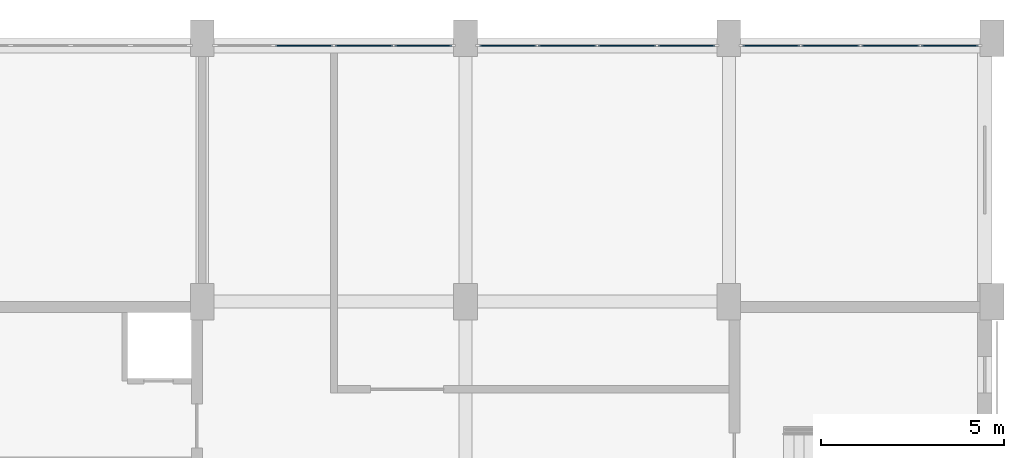
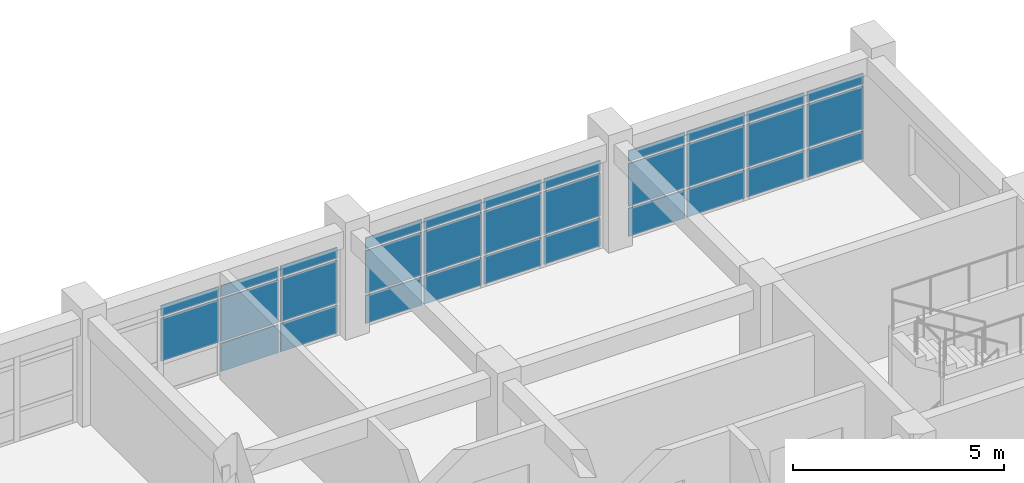
# One storey, part 13 of 19: 32 plates, 3 elements without a shape of their own.
"""IFC4 building model written with IfcOpenShell, lengths in metres."""

from ifc_helpers import new_model, si_unit, direction, frame, origin, origin_2d, place, context, subcontext, project, spatial, rectangle, extrude, material, layer, layer_set, type_object, element, aggregate, save


model = new_model("IFC4")

# Units and contexts
model_context = context("Model", 3, precision=1e-05, world=origin(), true_north=direction((0.0, 1.0)))
body_context = subcontext(model_context, "Body", "Model", "MODEL_VIEW")
ifc_project = project(units=[si_unit("LENGTHUNIT", "METRE"), si_unit("AREAUNIT", "SQUARE_METRE"), si_unit("VOLUMEUNIT", "CUBIC_METRE"), si_unit("PLANEANGLEUNIT", "RADIAN"), si_unit("MASSUNIT", "GRAM", prefix="KILO")], contexts=[model_context])

# Site, building, storey
site_placement = place(None, origin())
site = spatial("IfcSite", under=ifc_project, at=site_placement, CompositionType="ELEMENT")
building_placement = place(site_placement, origin())
building = spatial("IfcBuilding", under=site, at=building_placement, Name="Vermilion Court Aquatics Centre", CompositionType="ELEMENT")
storey_placement = place(building_placement, frame((0.0, 0.0, 19.89990234375)))
storey = spatial("IfcBuildingStorey", under=building, at=storey_placement, Name="L04", CompositionType="ELEMENT", Elevation=19.89990234375)

# Curtain wall, plates
ifc_material_1 = material(Name="Aluminium 6063-T5", Category="aluminium")
curtain_wall_type = type_object("IfcCurtainWallType", Name="North block glazed bay curtain wall 1800 module", PredefinedType="NOTDEFINED", material=ifc_material_1)
curtain_wall_1_placement = place(storey_placement, origin())
curtain_wall_1 = element("IfcCurtainWall", 1, at=curtain_wall_1_placement, inside=storey, type_object=curtain_wall_type, Name="North glazed bay 5 L04", PredefinedType="NOTDEFINED")
ifc_material_2 = material(Name="Glazing", Category="glass")
ifc_layer = layer(ifc_material_2, 0.028076171875)
ifc_layer_set = layer_set([ifc_layer], Name="North block curtain wall glazing panel 28")
plate_type = type_object("IfcPlateType", Name="North block curtain wall glazing panel 28", PredefinedType="CURTAIN_PANEL", material=ifc_layer_set)
plate_1_placement = place(storey_placement, frame((175.581298828125, 115.0, 0.93017578125), z_axis=(0.0, 0.0, 1.0), x_axis=(1.0, 0.0, 0.0)))
plate_1 = element("IfcPlate", 2, at=plate_1_placement, type_object=plate_type, Name="UCW1 panel 2.2", PredefinedType="CURTAIN_PANEL", context=body_context, shape_type="SweptSolid", body=[
    extrude(rectangle(XDim=1.577392578125, YDim=0.028076171875, at=origin_2d()), origin(), (0.0, 0.0, 1.0), 1.239990234375),
])
plate_2_placement = place(storey_placement, frame((175.581298828125, 115.0, 2.22998046875), z_axis=(0.0, 0.0, 1.0), x_axis=(1.0, 0.0, 0.0)))
plate_2 = element("IfcPlate", 3, at=plate_2_placement, type_object=plate_type, Name="UCW1 panel 2.3", PredefinedType="CURTAIN_PANEL", context=body_context, shape_type="SweptSolid", body=[
    extrude(rectangle(XDim=1.577392578125, YDim=0.028076171875, at=origin_2d()), origin(), (0.0, 0.0, 1.0), 0.31005859375),
])
plate_3_placement = place(storey_placement, frame((177.21875, 115.0, 0.06005859375), z_axis=(0.0, 0.0, 1.0), x_axis=(1.0, 0.0, 0.0)))
plate_3 = element("IfcPlate", 4, at=plate_3_placement, type_object=plate_type, Name="UCW1 panel 3.1", PredefinedType="CURTAIN_PANEL", context=body_context, shape_type="SweptSolid", body=[
    extrude(rectangle(XDim=1.577392578125, YDim=0.028076171875, at=origin_2d()), origin(), (0.0, 0.0, 1.0), 0.81005859375),
])
plate_4_placement = place(storey_placement, frame((177.21875, 115.0, 0.93017578125), z_axis=(0.0, 0.0, 1.0), x_axis=(1.0, 0.0, 0.0)))
plate_4 = element("IfcPlate", 5, at=plate_4_placement, type_object=plate_type, Name="UCW1 panel 3.2", PredefinedType="CURTAIN_PANEL", context=body_context, shape_type="SweptSolid", body=[
    extrude(rectangle(XDim=1.577392578125, YDim=0.028076171875, at=origin_2d()), origin(), (0.0, 0.0, 1.0), 1.239990234375),
])
plate_5_placement = place(storey_placement, frame((177.21875, 115.0, 2.22998046875), z_axis=(0.0, 0.0, 1.0), x_axis=(1.0, 0.0, 0.0)))
plate_5 = element("IfcPlate", 6, at=plate_5_placement, type_object=plate_type, Name="UCW1 panel 3.3", PredefinedType="CURTAIN_PANEL", context=body_context, shape_type="SweptSolid", body=[
    extrude(rectangle(XDim=1.577392578125, YDim=0.028076171875, at=origin_2d()), origin(), (0.0, 0.0, 1.0), 0.31005859375),
])
plate_6_placement = place(storey_placement, frame((178.84130859375, 115.0, 0.06005859375), z_axis=(0.0, 0.0, 1.0), x_axis=(1.0, 0.0, 0.0)))
plate_6 = element("IfcPlate", 7, at=plate_6_placement, type_object=plate_type, Name="UCW1 panel 4.1", PredefinedType="CURTAIN_PANEL", context=body_context, shape_type="SweptSolid", body=[
    extrude(rectangle(XDim=1.547607421875, YDim=0.028076171875, at=origin_2d()), origin(), (0.0, 0.0, 1.0), 0.81005859375),
])
plate_7_placement = place(storey_placement, frame((178.84130859375, 115.0, 0.93017578125), z_axis=(0.0, 0.0, 1.0), x_axis=(1.0, 0.0, 0.0)))
plate_7 = element("IfcPlate", 8, at=plate_7_placement, type_object=plate_type, Name="UCW1 panel 4.2", PredefinedType="CURTAIN_PANEL", context=body_context, shape_type="SweptSolid", body=[
    extrude(rectangle(XDim=1.547607421875, YDim=0.028076171875, at=origin_2d()), origin(), (0.0, 0.0, 1.0), 1.239990234375),
])
plate_8_placement = place(storey_placement, frame((178.84130859375, 115.0, 2.22998046875), z_axis=(0.0, 0.0, 1.0), x_axis=(1.0, 0.0, 0.0)))
plate_8 = element("IfcPlate", 9, at=plate_8_placement, type_object=plate_type, Name="UCW1 panel 4.3", PredefinedType="CURTAIN_PANEL", context=body_context, shape_type="SweptSolid", body=[
    extrude(rectangle(XDim=1.547607421875, YDim=0.028076171875, at=origin_2d()), origin(), (0.0, 0.0, 1.0), 0.31005859375),
])
aggregate(curtain_wall_1, [plate_1, plate_2, plate_3, plate_4, plate_5, plate_6, plate_7, plate_8])

curtain_wall_2_placement = place(storey_placement, origin())
curtain_wall_2 = element("IfcCurtainWall", 10, at=curtain_wall_2_placement, inside=storey, type_object=curtain_wall_type, Name="North glazed bay 6 L04", PredefinedType="NOTDEFINED")
plate_9_placement = place(storey_placement, frame((181.15869140625, 115.0, 0.06005859375), z_axis=(0.0, 0.0, 1.0), x_axis=(1.0, 0.0, 0.0)))
plate_9 = element("IfcPlate", 11, at=plate_9_placement, type_object=plate_type, Name="UCW1 panel 1.1", PredefinedType="CURTAIN_PANEL", context=body_context, shape_type="SweptSolid", body=[
    extrude(rectangle(XDim=1.547607421875, YDim=0.028076171875, at=origin_2d()), origin(), (0.0, 0.0, 1.0), 0.81005859375),
])
plate_10_placement = place(storey_placement, frame((181.15869140625, 115.0, 0.93017578125), z_axis=(0.0, 0.0, 1.0), x_axis=(1.0, 0.0, 0.0)))
plate_10 = element("IfcPlate", 12, at=plate_10_placement, type_object=plate_type, Name="UCW1 panel 1.2", PredefinedType="CURTAIN_PANEL", context=body_context, shape_type="SweptSolid", body=[
    extrude(rectangle(XDim=1.547607421875, YDim=0.028076171875, at=origin_2d()), origin(), (0.0, 0.0, 1.0), 1.239990234375),
])
plate_11_placement = place(storey_placement, frame((181.15869140625, 115.0, 2.22998046875), z_axis=(0.0, 0.0, 1.0), x_axis=(1.0, 0.0, 0.0)))
plate_11 = element("IfcPlate", 13, at=plate_11_placement, type_object=plate_type, Name="UCW1 panel 1.3", PredefinedType="CURTAIN_PANEL", context=body_context, shape_type="SweptSolid", body=[
    extrude(rectangle(XDim=1.547607421875, YDim=0.028076171875, at=origin_2d()), origin(), (0.0, 0.0, 1.0), 0.31005859375),
])
plate_12_placement = place(storey_placement, frame((182.78125, 115.0, 0.06005859375), z_axis=(0.0, 0.0, 1.0), x_axis=(1.0, 0.0, 0.0)))
plate_12 = element("IfcPlate", 14, at=plate_12_placement, type_object=plate_type, Name="UCW1 panel 2.1", PredefinedType="CURTAIN_PANEL", context=body_context, shape_type="SweptSolid", body=[
    extrude(rectangle(XDim=1.577392578125, YDim=0.028076171875, at=origin_2d()), origin(), (0.0, 0.0, 1.0), 0.81005859375),
])
plate_13_placement = place(storey_placement, frame((182.78125, 115.0, 0.93017578125), z_axis=(0.0, 0.0, 1.0), x_axis=(1.0, 0.0, 0.0)))
plate_13 = element("IfcPlate", 15, at=plate_13_placement, type_object=plate_type, Name="UCW1 panel 2.2", PredefinedType="CURTAIN_PANEL", context=body_context, shape_type="SweptSolid", body=[
    extrude(rectangle(XDim=1.577392578125, YDim=0.028076171875, at=origin_2d()), origin(), (0.0, 0.0, 1.0), 1.239990234375),
])
plate_14_placement = place(storey_placement, frame((182.78125, 115.0, 2.22998046875), z_axis=(0.0, 0.0, 1.0), x_axis=(1.0, 0.0, 0.0)))
plate_14 = element("IfcPlate", 16, at=plate_14_placement, type_object=plate_type, Name="UCW1 panel 2.3", PredefinedType="CURTAIN_PANEL", context=body_context, shape_type="SweptSolid", body=[
    extrude(rectangle(XDim=1.577392578125, YDim=0.028076171875, at=origin_2d()), origin(), (0.0, 0.0, 1.0), 0.31005859375),
])
plate_15_placement = place(storey_placement, frame((184.418701171875, 115.0, 0.06005859375), z_axis=(0.0, 0.0, 1.0), x_axis=(1.0, 0.0, 0.0)))
plate_15 = element("IfcPlate", 17, at=plate_15_placement, type_object=plate_type, Name="UCW1 panel 3.1", PredefinedType="CURTAIN_PANEL", context=body_context, shape_type="SweptSolid", body=[
    extrude(rectangle(XDim=1.577392578125, YDim=0.028076171875, at=origin_2d()), origin(), (0.0, 0.0, 1.0), 0.81005859375),
])
plate_16_placement = place(storey_placement, frame((184.418701171875, 115.0, 0.93017578125), z_axis=(0.0, 0.0, 1.0), x_axis=(1.0, 0.0, 0.0)))
plate_16 = element("IfcPlate", 18, at=plate_16_placement, type_object=plate_type, Name="UCW1 panel 3.2", PredefinedType="CURTAIN_PANEL", context=body_context, shape_type="SweptSolid", body=[
    extrude(rectangle(XDim=1.577392578125, YDim=0.028076171875, at=origin_2d()), origin(), (0.0, 0.0, 1.0), 1.239990234375),
])
plate_17_placement = place(storey_placement, frame((184.418701171875, 115.0, 2.22998046875), z_axis=(0.0, 0.0, 1.0), x_axis=(1.0, 0.0, 0.0)))
plate_17 = element("IfcPlate", 19, at=plate_17_placement, type_object=plate_type, Name="UCW1 panel 3.3", PredefinedType="CURTAIN_PANEL", context=body_context, shape_type="SweptSolid", body=[
    extrude(rectangle(XDim=1.577392578125, YDim=0.028076171875, at=origin_2d()), origin(), (0.0, 0.0, 1.0), 0.31005859375),
])
plate_18_placement = place(storey_placement, frame((186.041259765625, 115.0, 0.06005859375), z_axis=(0.0, 0.0, 1.0), x_axis=(1.0, 0.0, 0.0)))
plate_18 = element("IfcPlate", 20, at=plate_18_placement, type_object=plate_type, Name="UCW1 panel 4.1", PredefinedType="CURTAIN_PANEL", context=body_context, shape_type="SweptSolid", body=[
    extrude(rectangle(XDim=1.547607421875, YDim=0.028076171875, at=origin_2d()), origin(), (0.0, 0.0, 1.0), 0.81005859375),
])
plate_19_placement = place(storey_placement, frame((186.041259765625, 115.0, 0.93017578125), z_axis=(0.0, 0.0, 1.0), x_axis=(1.0, 0.0, 0.0)))
plate_19 = element("IfcPlate", 21, at=plate_19_placement, type_object=plate_type, Name="UCW1 panel 4.2", PredefinedType="CURTAIN_PANEL", context=body_context, shape_type="SweptSolid", body=[
    extrude(rectangle(XDim=1.547607421875, YDim=0.028076171875, at=origin_2d()), origin(), (0.0, 0.0, 1.0), 1.239990234375),
])
plate_20_placement = place(storey_placement, frame((186.041259765625, 115.0, 2.22998046875), z_axis=(0.0, 0.0, 1.0), x_axis=(1.0, 0.0, 0.0)))
plate_20 = element("IfcPlate", 22, at=plate_20_placement, type_object=plate_type, Name="UCW1 panel 4.3", PredefinedType="CURTAIN_PANEL", context=body_context, shape_type="SweptSolid", body=[
    extrude(rectangle(XDim=1.547607421875, YDim=0.028076171875, at=origin_2d()), origin(), (0.0, 0.0, 1.0), 0.31005859375),
])
aggregate(curtain_wall_2, [plate_9, plate_10, plate_11, plate_12, plate_13, plate_14, plate_15, plate_16, plate_17, plate_18, plate_19, plate_20])

curtain_wall_3_placement = place(storey_placement, origin())
curtain_wall_3 = element("IfcCurtainWall", 23, at=curtain_wall_3_placement, inside=storey, type_object=curtain_wall_type, Name="North glazed bay 7 L04", PredefinedType="NOTDEFINED")
plate_21_placement = place(storey_placement, frame((188.358642578125, 115.0, 0.06005859375), z_axis=(0.0, 0.0, 1.0), x_axis=(1.0, 0.0, 0.0)))
plate_21 = element("IfcPlate", 24, at=plate_21_placement, type_object=plate_type, Name="UCW1 panel 1.1", PredefinedType="CURTAIN_PANEL", context=body_context, shape_type="SweptSolid", body=[
    extrude(rectangle(XDim=1.547607421875, YDim=0.028076171875, at=origin_2d()), origin(), (0.0, 0.0, 1.0), 0.81005859375),
])
plate_22_placement = place(storey_placement, frame((188.358642578125, 115.0, 0.93017578125), z_axis=(0.0, 0.0, 1.0), x_axis=(1.0, 0.0, 0.0)))
plate_22 = element("IfcPlate", 25, at=plate_22_placement, type_object=plate_type, Name="UCW1 panel 1.2", PredefinedType="CURTAIN_PANEL", context=body_context, shape_type="SweptSolid", body=[
    extrude(rectangle(XDim=1.547607421875, YDim=0.028076171875, at=origin_2d()), origin(), (0.0, 0.0, 1.0), 1.239990234375),
])
plate_23_placement = place(storey_placement, frame((188.358642578125, 115.0, 2.22998046875), z_axis=(0.0, 0.0, 1.0), x_axis=(1.0, 0.0, 0.0)))
plate_23 = element("IfcPlate", 26, at=plate_23_placement, type_object=plate_type, Name="UCW1 panel 1.3", PredefinedType="CURTAIN_PANEL", context=body_context, shape_type="SweptSolid", body=[
    extrude(rectangle(XDim=1.547607421875, YDim=0.028076171875, at=origin_2d()), origin(), (0.0, 0.0, 1.0), 0.31005859375),
])
plate_24_placement = place(storey_placement, frame((189.981201171875, 115.0, 0.06005859375), z_axis=(0.0, 0.0, 1.0), x_axis=(1.0, 0.0, 0.0)))
plate_24 = element("IfcPlate", 27, at=plate_24_placement, type_object=plate_type, Name="UCW1 panel 2.1", PredefinedType="CURTAIN_PANEL", context=body_context, shape_type="SweptSolid", body=[
    extrude(rectangle(XDim=1.577392578125, YDim=0.028076171875, at=origin_2d()), origin(), (0.0, 0.0, 1.0), 0.81005859375),
])
plate_25_placement = place(storey_placement, frame((189.981201171875, 115.0, 0.93017578125), z_axis=(0.0, 0.0, 1.0), x_axis=(1.0, 0.0, 0.0)))
plate_25 = element("IfcPlate", 28, at=plate_25_placement, type_object=plate_type, Name="UCW1 panel 2.2", PredefinedType="CURTAIN_PANEL", context=body_context, shape_type="SweptSolid", body=[
    extrude(rectangle(XDim=1.577392578125, YDim=0.028076171875, at=origin_2d()), origin(), (0.0, 0.0, 1.0), 1.239990234375),
])
plate_26_placement = place(storey_placement, frame((189.981201171875, 115.0, 2.22998046875), z_axis=(0.0, 0.0, 1.0), x_axis=(1.0, 0.0, 0.0)))
plate_26 = element("IfcPlate", 29, at=plate_26_placement, type_object=plate_type, Name="UCW1 panel 2.3", PredefinedType="CURTAIN_PANEL", context=body_context, shape_type="SweptSolid", body=[
    extrude(rectangle(XDim=1.577392578125, YDim=0.028076171875, at=origin_2d()), origin(), (0.0, 0.0, 1.0), 0.31005859375),
])
plate_27_placement = place(storey_placement, frame((191.61865234375, 115.0, 0.06005859375), z_axis=(0.0, 0.0, 1.0), x_axis=(1.0, 0.0, 0.0)))
plate_27 = element("IfcPlate", 30, at=plate_27_placement, type_object=plate_type, Name="UCW1 panel 3.1", PredefinedType="CURTAIN_PANEL", context=body_context, shape_type="SweptSolid", body=[
    extrude(rectangle(XDim=1.577392578125, YDim=0.028076171875, at=origin_2d()), origin(), (0.0, 0.0, 1.0), 0.81005859375),
])
plate_28_placement = place(storey_placement, frame((191.61865234375, 115.0, 0.93017578125), z_axis=(0.0, 0.0, 1.0), x_axis=(1.0, 0.0, 0.0)))
plate_28 = element("IfcPlate", 31, at=plate_28_placement, type_object=plate_type, Name="UCW1 panel 3.2", PredefinedType="CURTAIN_PANEL", context=body_context, shape_type="SweptSolid", body=[
    extrude(rectangle(XDim=1.577392578125, YDim=0.028076171875, at=origin_2d()), origin(), (0.0, 0.0, 1.0), 1.239990234375),
])
plate_29_placement = place(storey_placement, frame((191.61865234375, 115.0, 2.22998046875), z_axis=(0.0, 0.0, 1.0), x_axis=(1.0, 0.0, 0.0)))
plate_29 = element("IfcPlate", 32, at=plate_29_placement, type_object=plate_type, Name="UCW1 panel 3.3", PredefinedType="CURTAIN_PANEL", context=body_context, shape_type="SweptSolid", body=[
    extrude(rectangle(XDim=1.577392578125, YDim=0.028076171875, at=origin_2d()), origin(), (0.0, 0.0, 1.0), 0.31005859375),
])
plate_30_placement = place(storey_placement, frame((193.2412109375, 115.0, 0.06005859375), z_axis=(0.0, 0.0, 1.0), x_axis=(1.0, 0.0, 0.0)))
plate_30 = element("IfcPlate", 33, at=plate_30_placement, type_object=plate_type, Name="UCW1 panel 4.1", PredefinedType="CURTAIN_PANEL", context=body_context, shape_type="SweptSolid", body=[
    extrude(rectangle(XDim=1.547607421875, YDim=0.028076171875, at=origin_2d()), origin(), (0.0, 0.0, 1.0), 0.81005859375),
])
plate_31_placement = place(storey_placement, frame((193.2412109375, 115.0, 0.93017578125), z_axis=(0.0, 0.0, 1.0), x_axis=(1.0, 0.0, 0.0)))
plate_31 = element("IfcPlate", 34, at=plate_31_placement, type_object=plate_type, Name="UCW1 panel 4.2", PredefinedType="CURTAIN_PANEL", context=body_context, shape_type="SweptSolid", body=[
    extrude(rectangle(XDim=1.547607421875, YDim=0.028076171875, at=origin_2d()), origin(), (0.0, 0.0, 1.0), 1.239990234375),
])
plate_32_placement = place(storey_placement, frame((193.2412109375, 115.0, 2.22998046875), z_axis=(0.0, 0.0, 1.0), x_axis=(1.0, 0.0, 0.0)))
plate_32 = element("IfcPlate", 35, at=plate_32_placement, type_object=plate_type, Name="UCW1 panel 4.3", PredefinedType="CURTAIN_PANEL", context=body_context, shape_type="SweptSolid", body=[
    extrude(rectangle(XDim=1.547607421875, YDim=0.028076171875, at=origin_2d()), origin(), (0.0, 0.0, 1.0), 0.31005859375),
])
aggregate(curtain_wall_3, [plate_21, plate_22, plate_23, plate_24, plate_25, plate_26, plate_27, plate_28, plate_29, plate_30, plate_31, plate_32])

save(model, "model.ifc")
